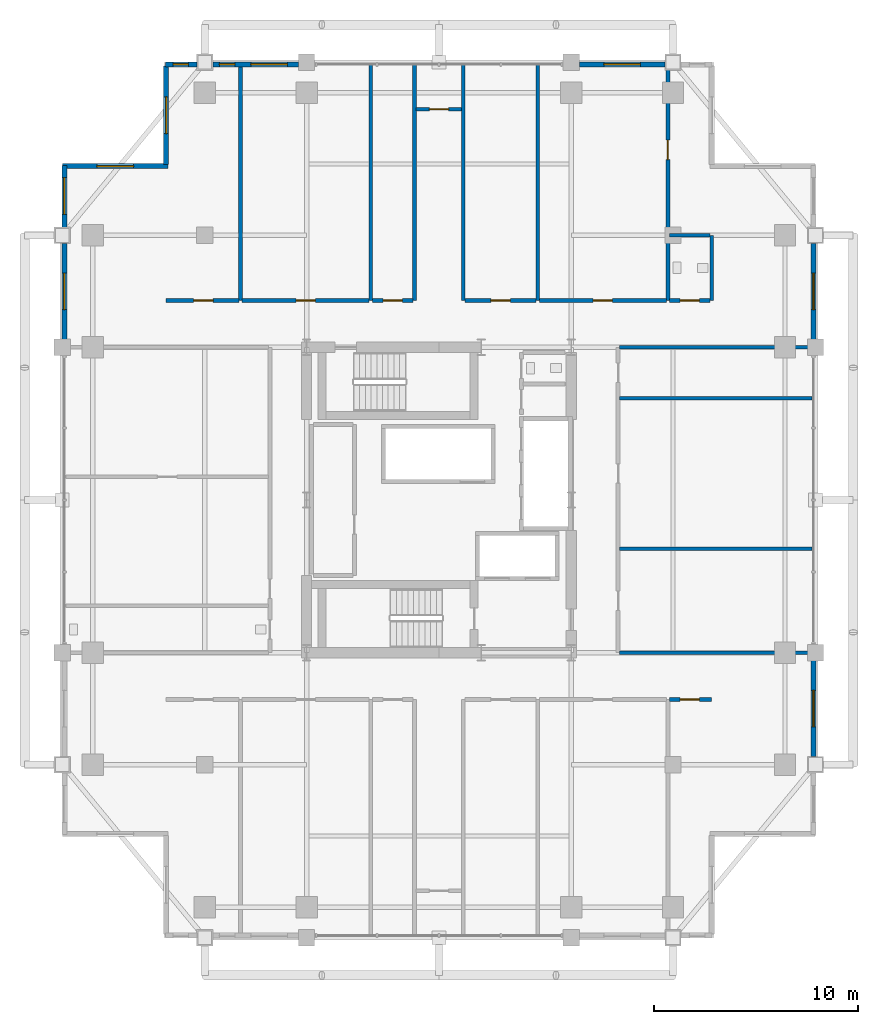
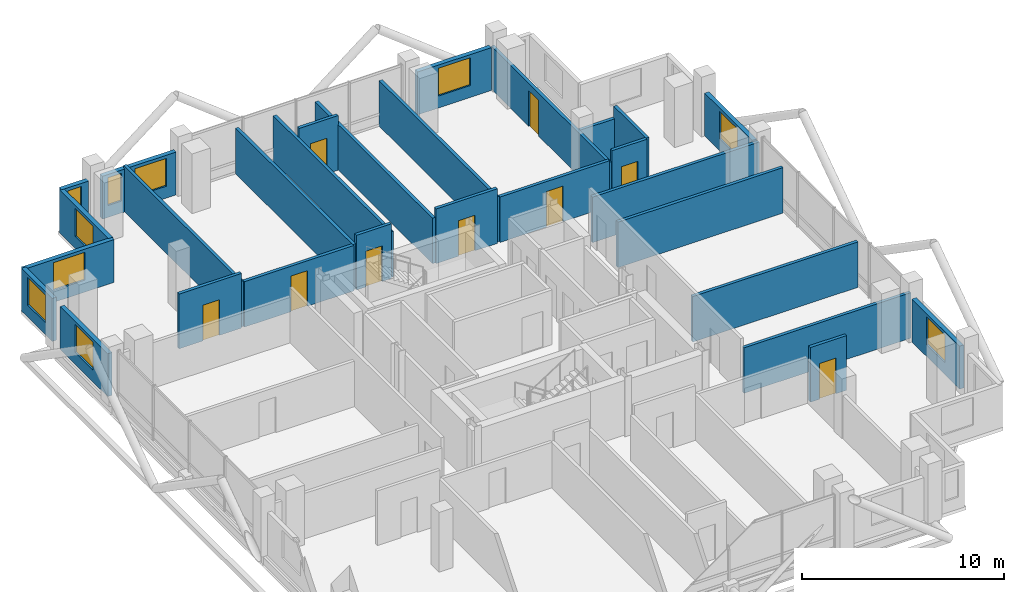
# One storey, part 22 of 25: 29 walls, 10 windows, 9 doors, 19 openings.
"""IFC4 building model written with IfcOpenShell, lengths in metres."""

from ifc_helpers import new_model, si_unit, direction, frame, frame_2d, origin, place, context, subcontext, project, spatial, rectangle, extrude, material, layer, layer_set, type_object, element, fill, save


model = new_model("IFC4")

# Units and contexts
model_context = context("Model", 3, precision=1e-05, world=origin(), true_north=direction((0.0, 1.0)))
body_context = subcontext(model_context, "Body", "Model", "MODEL_VIEW")
ifc_project = project(units=[si_unit("LENGTHUNIT", "METRE"), si_unit("AREAUNIT", "SQUARE_METRE"), si_unit("VOLUMEUNIT", "CUBIC_METRE"), si_unit("PLANEANGLEUNIT", "RADIAN"), si_unit("MASSUNIT", "GRAM", prefix="KILO")], contexts=[model_context])

# Site, building, storey
site_placement = place(None, origin())
site = spatial("IfcSite", under=ifc_project, at=site_placement, CompositionType="ELEMENT")
building_placement = place(site_placement, origin())
building = spatial("IfcBuilding", under=site, at=building_placement, Name="Barlavira Tower and Art Museum", CompositionType="ELEMENT")
storey_placement = place(building_placement, frame((0.0, 0.0, 208.800048828125)))
storey = spatial("IfcBuildingStorey", under=building, at=storey_placement, Name="L54", CompositionType="ELEMENT", Elevation=208.800048828125)

# Walls
ifc_material_1 = material(Name="Gypsum acoustic stud partition", Category="gypsum")
ifc_layer_1 = layer(ifc_material_1, 0.179931640625, Name="Gypsum acoustic stud partition")
ifc_layer_set_1 = layer_set([ifc_layer_1], Name="Gypsum acoustic stud partition")
wall_type_1 = type_object("IfcWallType", Name="Inter-Tenancy Party Partition Wall 180", PredefinedType="PARTITIONING", material=ifc_layer_set_1)
for number, where, z_axis, x_axis, name in (
    (1, (-9.75, 9.800048828125, 0.0), (0.0, 0.0, 1.0), (0.0, 1.0, 0.0), "L54 Partition Wall 2"),
    (2, (-3.35009765625, 9.800048828125, 0.0), (0.0, 0.0, 1.0), (0.0, 1.0, 0.0), "L54 Partition Wall 7"),
    (3, (-1.199951171875, 9.800048828125, 0.0), (0.0, 0.0, 1.0), (0.0, 1.0, 0.0), "L54 Partition Wall 9"),
    (4, (1.199951171875, 9.800048828125, 0.0), (0.0, 0.0, 1.0), (0.0, 1.0, 0.0), "L54 Partition Wall 11"),
    (5, (4.85009765625, 9.800048828125, 0.0), (0.0, 0.0, 1.0), (0.0, 1.0, 0.0), "L54 Partition Wall 14"),
):
    element("IfcWall", number, at=place(storey_placement, frame(where, z_axis=z_axis, x_axis=x_axis)), inside=storey, type_object=wall_type_1, Name=name, PredefinedType="PARTITIONING", context=body_context, shape_type="SweptSolid", body=[
        extrude(rectangle(XDim=11.599853515625, YDim=0.179931640625, at=frame_2d((5.7998046875, 0.0))), origin(), (0.0, 0.0, 1.0), 2.745849609375),
    ])

# Wall, opening, door
wall_1_placement = place(storey_placement, frame((11.25, 9.800048828125, 0.0), z_axis=(0.0, 0.0, 1.0), x_axis=(0.0, 1.0, 0.0)))
wall_1 = element("IfcWall", 6, at=wall_1_placement, inside=storey, type_object=wall_type_1, Name="L54 Partition Wall 17", PredefinedType="PARTITIONING", context=body_context, shape_type="SweptSolid", body=[
    extrude(rectangle(XDim=11.599853515625, YDim=0.179931640625, at=frame_2d((5.7998046875, 0.0))), origin(), (0.0, 0.0, 1.0), 2.58984375),
])
opening_1_placement = place(wall_1_placement, frame((6.925048828125, 0.0, 0.0)))
opening_1 = element("IfcOpeningElement", 7, at=opening_1_placement, cuts=wall_1, Name="Opening FD-60", PredefinedType="OPENING", context=body_context, shape_type="SweptSolid", body=[
    extrude(rectangle(XDim=0.949951171875, YDim=2.14990234375, at=frame_2d((0.47509765625, 1.074951171875))), frame((0.0, 0.10009765625, 0.0), z_axis=(0.0, -1.0, 0.0), x_axis=(1.0, 0.0, 0.0)), (0.0, 0.0, 1.0), 0.199951171875),
])
ifc_material_2 = material(Name="Brushed stainless steel", Category="steel")
door_type = type_object("IfcDoorType", Name="Apartment Entrance and Riser Fire Door 950x2150 FD60S", OperationType="NOTDEFINED", PredefinedType="DOOR", material=ifc_material_2)
door_1_placement = place(opening_1_placement, origin())
door_1 = element("IfcDoor", 8, at=door_1_placement, inside=storey, type_object=door_type, Name="Thermal Relaxation Lounge Door", OperationType="SINGLE_SWING_RIGHT", OverallHeight=2.14990234375, OverallWidth=0.949951171875, PredefinedType="DOOR", context=body_context, shape_type="SweptSolid", body=[
    extrude(rectangle(XDim=0.949951171875, YDim=2.14990234375, at=frame_2d((0.47509765625, 1.074951171875))), frame((0.0, 0.02490234375, 0.0), z_axis=(0.0, -1.0, 0.0), x_axis=(1.0, 0.0, 0.0)), (0.0, 0.0, 1.0), 0.050048828125),
])
fill(opening_1, door_1)

# Wall
wall_2_placement = place(storey_placement, frame((13.39990234375, 9.800048828125, 0.0), z_axis=(0.0, 0.0, 1.0), x_axis=(0.0, 1.0, 0.0)))
element("IfcWall", 9, at=wall_2_placement, inside=storey, type_object=wall_type_1, Name="L54 Partition Wall 18", PredefinedType="PARTITIONING", context=body_context, shape_type="SweptSolid", body=[
    extrude(rectangle(XDim=3.199951171875, YDim=0.179931640625, at=frame_2d((1.60009765625, 0.0))), origin(), (0.0, 0.0, 1.0), 3.300048828125),
])

# Wall, opening, door
wall_3_placement = place(storey_placement, frame((11.330078125, -9.800048828125, 0.0), z_axis=(0.0, 0.0, 1.0), x_axis=(1.0, 0.0, 0.0)))
wall_3 = element("IfcWall", 10, at=wall_3_placement, inside=storey, type_object=wall_type_1, Name="L54 Partition Wall 25", PredefinedType="PARTITIONING", context=body_context, shape_type="SweptSolid", body=[
    extrude(rectangle(XDim=2.06982421875, YDim=0.179931640625, at=frame_2d((1.034912109375, 0.0))), origin(), (0.0, 0.0, 1.0), 3.300048828125),
])
opening_2_placement = place(wall_3_placement, frame((0.514892578125, 0.0, 0.0)))
opening_2 = element("IfcOpeningElement", 11, at=opening_2_placement, cuts=wall_3, Name="Opening FD-60", PredefinedType="OPENING", context=body_context, shape_type="SweptSolid", body=[
    extrude(rectangle(XDim=0.949951171875, YDim=2.14990234375, at=frame_2d((0.47509765625, 1.074951171875))), frame((0.0, 0.10009765625, 0.0), z_axis=(0.0, -1.0, 0.0), x_axis=(1.0, 0.0, 0.0)), (0.0, 0.0, 1.0), 0.199951171875),
])
door_2_placement = place(opening_2_placement, origin())
door_2 = element("IfcDoor", 12, at=door_2_placement, inside=storey, type_object=door_type, Name="Shared Catering Kitchen Door", OperationType="SINGLE_SWING_RIGHT", OverallHeight=2.14990234375, OverallWidth=0.949951171875, PredefinedType="DOOR", context=body_context, shape_type="SweptSolid", body=[
    extrude(rectangle(XDim=0.949951171875, YDim=2.14990234375, at=frame_2d((0.47509765625, 1.074951171875))), frame((0.0, 0.02490234375, 0.0), z_axis=(0.0, -1.0, 0.0), x_axis=(1.0, 0.0, 0.0)), (0.0, 0.0, 1.0), 0.050048828125),
])
fill(opening_2, door_2)

# Walls
wall_4_placement = place(storey_placement, frame((8.8798828125, -7.5, 0.0), z_axis=(0.0, 0.0, 1.0), x_axis=(1.0, 0.0, 0.0)))
element("IfcWall", 13, at=wall_4_placement, inside=storey, type_object=wall_type_1, Name="L54 Partition Wall 27", PredefinedType="PARTITIONING", context=body_context, shape_type="SweptSolid", body=[
    extrude(rectangle(XDim=9.52001953125, YDim=0.179931640625, at=frame_2d((4.760009765625, 0.0))), origin(), (0.0, 0.0, 1.0), 2.745849609375),
])
for number, where, z_axis, x_axis, name in (
    (14, (8.8798828125, -2.39990234375, 0.0), (0.0, 0.0, 1.0), (1.0, 0.0, 0.0), "L54 Partition Wall 30"),
    (15, (8.8798828125, 5.0, 0.0), (0.0, 0.0, 1.0), (1.0, 0.0, 0.0), "L54 Partition Wall 33"),
):
    element("IfcWall", number, at=place(storey_placement, frame(where, z_axis=z_axis, x_axis=x_axis)), inside=storey, type_object=wall_type_1, Name=name, PredefinedType="PARTITIONING", context=body_context, shape_type="SweptSolid", body=[
        extrude(rectangle(XDim=9.440185546875, YDim=0.179931640625, at=frame_2d((4.72021484375, 0.0))), origin(), (0.0, 0.0, 1.0), 2.745849609375),
    ])
wall_5_placement = place(storey_placement, frame((8.8798828125, 7.5, 0.0), z_axis=(0.0, 0.0, 1.0), x_axis=(1.0, 0.0, 0.0)))
element("IfcWall", 16, at=wall_5_placement, inside=storey, type_object=wall_type_1, Name="L54 Partition Wall 37", PredefinedType="PARTITIONING", context=body_context, shape_type="SweptSolid", body=[
    extrude(rectangle(XDim=9.52001953125, YDim=0.179931640625, at=frame_2d((4.760009765625, 0.0))), origin(), (0.0, 0.0, 1.0), 2.745849609375),
])

# Wall, opening, door
wall_6_placement = place(storey_placement, frame((-13.39990234375, 9.800048828125, 0.0), z_axis=(0.0, 0.0, 1.0), x_axis=(1.0, 0.0, 0.0)))
wall_6 = element("IfcWall", 17, at=wall_6_placement, inside=storey, type_object=wall_type_1, Name="L54 Partition Wall 38", PredefinedType="PARTITIONING", context=body_context, shape_type="SweptSolid", body=[
    extrude(rectangle(XDim=3.56982421875, YDim=0.179931640625, at=frame_2d((1.784912109375, 0.0))), origin(), (0.0, 0.0, 1.0), 3.300048828125),
])
opening_3_placement = place(wall_6_placement, frame((1.35498046875, 0.0, 0.0)))
opening_3 = element("IfcOpeningElement", 18, at=opening_3_placement, cuts=wall_6, Name="Opening FD-60", PredefinedType="OPENING", context=body_context, shape_type="SweptSolid", body=[
    extrude(rectangle(XDim=0.949951171875, YDim=2.14990234375, at=frame_2d((0.47509765625, 1.074951171875))), frame((0.0, 0.10009765625, 0.0), z_axis=(0.0, -1.0, 0.0), x_axis=(1.0, 0.0, 0.0)), (0.0, 0.0, 1.0), 0.199951171875),
])
door_3_placement = place(opening_3_placement, origin())
door_3 = element("IfcDoor", 19, at=door_3_placement, inside=storey, type_object=door_type, Name="Resident Sky Coworking Studio Door", OperationType="SINGLE_SWING_RIGHT", OverallHeight=2.14990234375, OverallWidth=0.949951171875, PredefinedType="DOOR", context=body_context, shape_type="SweptSolid", body=[
    extrude(rectangle(XDim=0.949951171875, YDim=2.14990234375, at=frame_2d((0.47509765625, 1.074951171875))), frame((0.0, 0.02490234375, 0.0), z_axis=(0.0, -1.0, 0.0), x_axis=(1.0, 0.0, 0.0)), (0.0, 0.0, 1.0), 0.050048828125),
])
fill(opening_3, door_3)

wall_7_placement = place(storey_placement, frame((-9.669921875, 9.800048828125, 0.0), z_axis=(0.0, 0.0, 1.0), x_axis=(1.0, 0.0, 0.0)))
wall_7 = element("IfcWall", 20, at=wall_7_placement, inside=storey, type_object=wall_type_1, Name="L54 Partition Wall 39", PredefinedType="PARTITIONING", context=body_context, shape_type="SweptSolid", body=[
    extrude(rectangle(XDim=6.239990234375, YDim=0.179931640625, at=frame_2d((3.1201171875, 0.0))), origin(), (0.0, 0.0, 1.0), 2.745849609375),
])
opening_4_placement = place(wall_7_placement, frame((2.655029296875, 0.0, 0.0)))
opening_4 = element("IfcOpeningElement", 21, at=opening_4_placement, cuts=wall_7, Name="Opening FD-60", PredefinedType="OPENING", context=body_context, shape_type="SweptSolid", body=[
    extrude(rectangle(XDim=0.949951171875, YDim=2.14990234375, at=frame_2d((0.47509765625, 1.074951171875))), frame((0.0, 0.10009765625, 0.0), z_axis=(0.0, -1.0, 0.0), x_axis=(1.0, 0.0, 0.0)), (0.0, 0.0, 1.0), 0.199951171875),
])
door_4_placement = place(opening_4_placement, origin())
door_4 = element("IfcDoor", 22, at=door_4_placement, inside=storey, type_object=door_type, Name="Atlantic Horizon Boardroom Door", OperationType="SINGLE_SWING_LEFT", OverallHeight=2.14990234375, OverallWidth=0.949951171875, PredefinedType="DOOR", context=body_context, shape_type="SweptSolid", body=[
    extrude(rectangle(XDim=0.949951171875, YDim=2.14990234375, at=frame_2d((0.47509765625, 1.074951171875))), frame((0.0, 0.02490234375, 0.0), z_axis=(0.0, -1.0, 0.0), x_axis=(1.0, 0.0, 0.0)), (0.0, 0.0, 1.0), 0.050048828125),
])
fill(opening_4, door_4)

wall_8_placement = place(storey_placement, frame((-3.27001953125, 9.800048828125, 0.0), z_axis=(0.0, 0.0, 1.0), x_axis=(1.0, 0.0, 0.0)))
wall_8 = element("IfcWall", 23, at=wall_8_placement, inside=storey, type_object=wall_type_1, Name="L54 Partition Wall 40", PredefinedType="PARTITIONING", context=body_context, shape_type="SweptSolid", body=[
    extrude(rectangle(XDim=1.989990234375, YDim=0.179931640625, at=frame_2d((0.9951171875, 0.0))), origin(), (0.0, 0.0, 1.0), 3.300048828125),
])
opening_5_placement = place(wall_8_placement, frame((0.52490234375, 0.0, 0.0)))
opening_5 = element("IfcOpeningElement", 24, at=opening_5_placement, cuts=wall_8, Name="Opening FD-60", PredefinedType="OPENING", context=body_context, shape_type="SweptSolid", body=[
    extrude(rectangle(XDim=0.949951171875, YDim=2.14990234375, at=frame_2d((0.47509765625, 1.074951171875))), frame((0.0, 0.10009765625, 0.0), z_axis=(0.0, -1.0, 0.0), x_axis=(1.0, 0.0, 0.0)), (0.0, 0.0, 1.0), 0.199951171875),
])
door_5_placement = place(opening_5_placement, origin())
door_5 = element("IfcDoor", 25, at=door_5_placement, inside=storey, type_object=door_type, Name="Shared Coworking Espresso Pantry Door", OperationType="SINGLE_SWING_RIGHT", OverallHeight=2.14990234375, OverallWidth=0.949951171875, PredefinedType="DOOR", context=body_context, shape_type="SweptSolid", body=[
    extrude(rectangle(XDim=0.949951171875, YDim=2.14990234375, at=frame_2d((0.47509765625, 1.074951171875))), frame((0.0, 0.02490234375, 0.0), z_axis=(0.0, -1.0, 0.0), x_axis=(1.0, 0.0, 0.0)), (0.0, 0.0, 1.0), 0.050048828125),
])
fill(opening_5, door_5)

wall_9_placement = place(storey_placement, frame((1.280029296875, 9.800048828125, 0.0), z_axis=(0.0, 0.0, 1.0), x_axis=(1.0, 0.0, 0.0)))
wall_9 = element("IfcWall", 26, at=wall_9_placement, inside=storey, type_object=wall_type_1, Name="L54 Partition Wall 41", PredefinedType="PARTITIONING", context=body_context, shape_type="SweptSolid", body=[
    extrude(rectangle(XDim=3.489990234375, YDim=0.179931640625, at=frame_2d((1.7451171875, 0.0))), origin(), (0.0, 0.0, 1.0), 3.300048828125),
])
opening_6_placement = place(wall_9_placement, frame((1.27490234375, 0.0, 0.0)))
opening_6 = element("IfcOpeningElement", 27, at=opening_6_placement, cuts=wall_9, Name="Opening FD-60", PredefinedType="OPENING", context=body_context, shape_type="SweptSolid", body=[
    extrude(rectangle(XDim=0.949951171875, YDim=2.14990234375, at=frame_2d((0.47509765625, 1.074951171875))), frame((0.0, 0.10009765625, 0.0), z_axis=(0.0, -1.0, 0.0), x_axis=(1.0, 0.0, 0.0)), (0.0, 0.0, 1.0), 0.199951171875),
])
door_6_placement = place(opening_6_placement, origin())
door_6 = element("IfcDoor", 28, at=door_6_placement, inside=storey, type_object=door_type, Name="Resident Ocean-View Fitness Studio Door", OperationType="SINGLE_SWING_LEFT", OverallHeight=2.14990234375, OverallWidth=0.949951171875, PredefinedType="DOOR", context=body_context, shape_type="SweptSolid", body=[
    extrude(rectangle(XDim=0.949951171875, YDim=2.14990234375, at=frame_2d((0.47509765625, 1.074951171875))), frame((0.0, 0.02490234375, 0.0), z_axis=(0.0, -1.0, 0.0), x_axis=(1.0, 0.0, 0.0)), (0.0, 0.0, 1.0), 0.050048828125),
])
fill(opening_6, door_6)

wall_10_placement = place(storey_placement, frame((4.929931640625, 9.800048828125, 0.0), z_axis=(0.0, 0.0, 1.0), x_axis=(1.0, 0.0, 0.0)))
wall_10 = element("IfcWall", 29, at=wall_10_placement, inside=storey, type_object=wall_type_1, Name="L54 Partition Wall 42", PredefinedType="PARTITIONING", context=body_context, shape_type="SweptSolid", body=[
    extrude(rectangle(XDim=6.239990234375, YDim=0.179931640625, at=frame_2d((3.1201171875, 0.0))), origin(), (0.0, 0.0, 1.0), 2.745849609375),
])
opening_7_placement = place(wall_10_placement, frame((2.64501953125, 0.0, 0.0)))
opening_7 = element("IfcOpeningElement", 30, at=opening_7_placement, cuts=wall_10, Name="Opening FD-60", PredefinedType="OPENING", context=body_context, shape_type="SweptSolid", body=[
    extrude(rectangle(XDim=0.949951171875, YDim=2.14990234375, at=frame_2d((0.47509765625, 1.074951171875))), frame((0.0, 0.10009765625, 0.0), z_axis=(0.0, -1.0, 0.0), x_axis=(1.0, 0.0, 0.0)), (0.0, 0.0, 1.0), 0.199951171875),
])
door_7_placement = place(opening_7_placement, origin())
door_7 = element("IfcDoor", 31, at=door_7_placement, inside=storey, type_object=door_type, Name="Coastal Hydrotherapy and Yoga Lounge Door", OperationType="SINGLE_SWING_RIGHT", OverallHeight=2.14990234375, OverallWidth=0.949951171875, PredefinedType="DOOR", context=body_context, shape_type="SweptSolid", body=[
    extrude(rectangle(XDim=0.949951171875, YDim=2.14990234375, at=frame_2d((0.47509765625, 1.074951171875))), frame((0.0, 0.02490234375, 0.0), z_axis=(0.0, -1.0, 0.0), x_axis=(1.0, 0.0, 0.0)), (0.0, 0.0, 1.0), 0.050048828125),
])
fill(opening_7, door_7)

wall_11_placement = place(storey_placement, frame((11.330078125, 9.800048828125, 0.0), z_axis=(0.0, 0.0, 1.0), x_axis=(1.0, 0.0, 0.0)))
wall_11 = element("IfcWall", 32, at=wall_11_placement, inside=storey, type_object=wall_type_1, Name="L54 Partition Wall 43", PredefinedType="PARTITIONING", context=body_context, shape_type="SweptSolid", body=[
    extrude(rectangle(XDim=1.989990234375, YDim=0.179931640625, at=frame_2d((0.9951171875, 0.0))), origin(), (0.0, 0.0, 1.0), 3.300048828125),
])
opening_8_placement = place(wall_11_placement, frame((0.514892578125, 0.0, 0.0)))
opening_8 = element("IfcOpeningElement", 33, at=opening_8_placement, cuts=wall_11, Name="Opening FD-60", PredefinedType="OPENING", context=body_context, shape_type="SweptSolid", body=[
    extrude(rectangle(XDim=0.949951171875, YDim=2.14990234375, at=frame_2d((0.47509765625, 1.074951171875))), frame((0.0, 0.10009765625, 0.0), z_axis=(0.0, -1.0, 0.0), x_axis=(1.0, 0.0, 0.0)), (0.0, 0.0, 1.0), 0.199951171875),
])
door_8_placement = place(opening_8_placement, origin())
door_8 = element("IfcDoor", 34, at=door_8_placement, inside=storey, type_object=door_type, Name="Wellness Changing and Accessible Shower WC Door", OperationType="SINGLE_SWING_LEFT", OverallHeight=2.14990234375, OverallWidth=0.949951171875, PredefinedType="DOOR", context=body_context, shape_type="SweptSolid", body=[
    extrude(rectangle(XDim=0.949951171875, YDim=2.14990234375, at=frame_2d((0.47509765625, 1.074951171875))), frame((0.0, 0.02490234375, 0.0), z_axis=(0.0, -1.0, 0.0), x_axis=(1.0, 0.0, 0.0)), (0.0, 0.0, 1.0), 0.050048828125),
])
fill(opening_8, door_8)

# Wall
wall_12_placement = place(storey_placement, frame((11.330078125, 13.0, 0.0), z_axis=(0.0, 0.0, 1.0), x_axis=(1.0, 0.0, 0.0)))
element("IfcWall", 35, at=wall_12_placement, inside=storey, type_object=wall_type_1, Name="L54 Partition Wall 44", PredefinedType="PARTITIONING", context=body_context, shape_type="SweptSolid", body=[
    extrude(rectangle(XDim=1.989990234375, YDim=0.179931640625, at=frame_2d((0.9951171875, 0.0))), origin(), (0.0, 0.0, 1.0), 2.58984375),
])

# Wall, opening, door
wall_13_placement = place(storey_placement, frame((-1.1201171875, 19.199951171875, 0.0), z_axis=(0.0, 0.0, 1.0), x_axis=(1.0, 0.0, 0.0)))
wall_13 = element("IfcWall", 36, at=wall_13_placement, inside=storey, type_object=wall_type_1, Name="L54 Partition Wall 45", PredefinedType="PARTITIONING", context=body_context, shape_type="SweptSolid", body=[
    extrude(rectangle(XDim=2.240234375, YDim=0.179931640625, at=frame_2d((1.1201171875, 0.0))), origin(), (0.0, 0.0, 1.0), 3.300048828125),
])
opening_9_placement = place(wall_13_placement, frame((0.64501953125, 0.0, 0.0)))
opening_9 = element("IfcOpeningElement", 37, at=opening_9_placement, cuts=wall_13, Name="Opening FD-60", PredefinedType="OPENING", context=body_context, shape_type="SweptSolid", body=[
    extrude(rectangle(XDim=0.949951171875, YDim=2.14990234375, at=frame_2d((0.47509765625, 1.074951171875))), frame((0.0, 0.10009765625, 0.0), z_axis=(0.0, -1.0, 0.0), x_axis=(1.0, 0.0, 0.0)), (0.0, 0.0, 1.0), 0.199951171875),
])
door_9_placement = place(opening_9_placement, origin())
door_9 = element("IfcDoor", 38, at=door_9_placement, inside=storey, type_object=door_type, Name="L54 North Ocean Alcove Door", OperationType="SINGLE_SWING_LEFT", OverallHeight=2.14990234375, OverallWidth=0.949951171875, PredefinedType="DOOR", context=body_context, shape_type="SweptSolid", body=[
    extrude(rectangle(XDim=0.949951171875, YDim=2.14990234375, at=frame_2d((0.47509765625, 1.074951171875))), frame((0.0, 0.02490234375, 0.0), z_axis=(0.0, -1.0, 0.0), x_axis=(1.0, 0.0, 0.0)), (0.0, 0.0, 1.0), 0.050048828125),
])
fill(opening_9, door_9)

# Wall, opening, window
ifc_material_3 = material(Name="Precast concrete C40", Category="concrete")
ifc_layer_2 = layer(ifc_material_3, 0.25, Name="Precast concrete C40")
ifc_layer_set_2 = layer_set([ifc_layer_2], Name="Precast concrete C40")
wall_type_2 = type_object("IfcWallType", Name="Notched Corner Spandrel Wall 250 Precast Concrete C40", PredefinedType="SOLIDWALL", material=ifc_layer_set_2)
wall_14_placement = place(storey_placement, frame((11.10498046875, 21.39990234375, 0.0), z_axis=(0.0, 0.0, 1.0), x_axis=(-1.0, 0.0, 0.0)))
wall_14 = element("IfcWall", 39, at=wall_14_placement, inside=storey, type_object=wall_type_2, Name="L54 Coastal Facade Pier Wall CW3-L54-N-2", PredefinedType="SOLIDWALL", context=body_context, shape_type="SweptSolid", body=[
    extrude(rectangle(XDim=4.2099609375, YDim=0.25, at=frame_2d((2.10498046875, 0.0))), origin(), (0.0, 0.0, 1.0), 2.58984375),
])
opening_10_placement = place(wall_14_placement, frame((1.205078125, 0.0, 0.719970703125)))
opening_10 = element("IfcOpeningElement", 40, at=opening_10_placement, cuts=wall_14, Name="Opening WN-01", PredefinedType="OPENING", context=body_context, shape_type="SweptSolid", body=[
    extrude(rectangle(XDim=1.800048828125, YDim=1.679931640625, at=frame_2d((0.89990234375, 0.83984375))), frame((0.0, 0.135009765625, 0.0), z_axis=(0.0, -1.0, 0.0), x_axis=(1.0, 0.0, 0.0)), (0.0, 0.0, 1.0), 0.27001953125),
])
ifc_material_4 = material(Name="Low-iron coastal laminated glass", Category="glass")
window_type_1 = type_object("IfcWindowType", Name="Recessed Notch Corner Punch Window 1800x1680", PartitioningType="SINGLE_PANEL", PredefinedType="WINDOW", material=ifc_material_4)
window_1_placement = place(opening_10_placement, origin())
window_1 = element("IfcWindow", 41, at=window_1_placement, inside=storey, type_object=window_type_1, Name="L54 Punched Facade Window EWP-CW3-L54-N-2-1", OverallHeight=1.679931640625, OverallWidth=1.800048828125, PartitioningType="SINGLE_PANEL", PredefinedType="WINDOW", context=body_context, shape_type="SweptSolid", body=[
    extrude(rectangle(XDim=1.800048828125, YDim=1.679931640625, at=frame_2d((0.89990234375, 0.83984375))), frame((0.0, 0.030029296875, 0.0), z_axis=(0.0, -1.0, 0.0), x_axis=(1.0, 0.0, 0.0)), (0.0, 0.0, 1.0), 0.06005859375),
])
fill(opening_10, window_1)

# Wall, openings, windows
wall_15_placement = place(storey_placement, frame((-6.89501953125, 21.39990234375, 0.0), z_axis=(0.0, 0.0, 1.0), x_axis=(-1.0, 0.0, 0.0)))
wall_15 = element("IfcWall", 42, at=wall_15_placement, inside=storey, type_object=wall_type_2, Name="L54 Coastal Facade Pier Wall CW3-L54-N-4", PredefinedType="SOLIDWALL", context=body_context, shape_type="SweptSolid", body=[
    extrude(rectangle(XDim=4.2099609375, YDim=0.25, at=frame_2d((2.10498046875, 0.0))), origin(), (0.0, 0.0, 1.0), 2.58984375),
])
opening_11_placement = place(wall_15_placement, frame((0.544921875, 0.0, 0.719970703125)))
opening_11 = element("IfcOpeningElement", 43, at=opening_11_placement, cuts=wall_15, Name="Opening WN-01", PredefinedType="OPENING", context=body_context, shape_type="SweptSolid", body=[
    extrude(rectangle(XDim=1.800048828125, YDim=1.679931640625, at=frame_2d((0.89990234375, 0.83984375))), frame((0.0, 0.135009765625, 0.0), z_axis=(0.0, -1.0, 0.0), x_axis=(1.0, 0.0, 0.0)), (0.0, 0.0, 1.0), 0.27001953125),
])
opening_12_placement = place(wall_15_placement, frame((3.125, 0.0, 0.719970703125)))
opening_12 = element("IfcOpeningElement", 44, at=opening_12_placement, cuts=wall_15, Name="Opening WN-06", PredefinedType="OPENING", context=body_context, shape_type="SweptSolid", body=[
    extrude(rectangle(XDim=0.760009765625, YDim=1.679931640625, at=frame_2d((0.3798828125, 0.83984375))), frame((0.0, 0.135009765625, 0.0), z_axis=(0.0, -1.0, 0.0), x_axis=(1.0, 0.0, 0.0)), (0.0, 0.0, 1.0), 0.27001953125),
])
window_type_2 = type_object("IfcWindowType", Name="Recessed Narrow Pier Window 760x1680", PartitioningType="SINGLE_PANEL", PredefinedType="WINDOW", material=ifc_material_4)
window_2_placement = place(opening_12_placement, origin())
window_2 = element("IfcWindow", 45, at=window_2_placement, inside=storey, type_object=window_type_2, Name="L54 Punched Facade Window EWP-CW3-L54-N-4-2", OverallHeight=1.679931640625, OverallWidth=0.760009765625, PartitioningType="SINGLE_PANEL", PredefinedType="WINDOW", context=body_context, shape_type="SweptSolid", body=[
    extrude(rectangle(XDim=0.760009765625, YDim=1.679931640625, at=frame_2d((0.3798828125, 0.83984375))), frame((0.0, 0.030029296875, 0.0), z_axis=(0.0, -1.0, 0.0), x_axis=(1.0, 0.0, 0.0)), (0.0, 0.0, 1.0), 0.06005859375),
])
fill(opening_12, window_2)
window_3_placement = place(opening_11_placement, origin())
window_3 = element("IfcWindow", 46, at=window_3_placement, inside=storey, type_object=window_type_1, Name="L54 Punched Facade Window EWP-CW3-L54-N-4-1", OverallHeight=1.679931640625, OverallWidth=1.800048828125, PartitioningType="SINGLE_PANEL", PredefinedType="WINDOW", context=body_context, shape_type="SweptSolid", body=[
    extrude(rectangle(XDim=1.800048828125, YDim=1.679931640625, at=frame_2d((0.89990234375, 0.83984375))), frame((0.0, 0.030029296875, 0.0), z_axis=(0.0, -1.0, 0.0), x_axis=(1.0, 0.0, 0.0)), (0.0, 0.0, 1.0), 0.06005859375),
])
fill(opening_11, window_3)

# Wall, opening, window
wall_16_placement = place(storey_placement, frame((-11.89501953125, 21.39990234375, 0.0), z_axis=(0.0, 0.0, 1.0), x_axis=(-1.0, 0.0, 0.0)))
wall_16 = element("IfcWall", 47, at=wall_16_placement, inside=storey, type_object=wall_type_2, Name="L54 Coastal Facade Pier Wall CW3-L54-N-5", PredefinedType="SOLIDWALL", context=body_context, shape_type="SweptSolid", body=[
    extrude(rectangle(XDim=1.530029296875, YDim=0.25, at=frame_2d((0.76513671875, 0.0))), origin(), (0.0, 0.0, 1.0), 2.58984375),
])
opening_13_placement = place(wall_16_placement, frame((0.407958984375, 0.0, 0.719970703125)))
opening_13 = element("IfcOpeningElement", 48, at=opening_13_placement, cuts=wall_16, Name="Opening WN-06", PredefinedType="OPENING", context=body_context, shape_type="SweptSolid", body=[
    extrude(rectangle(XDim=0.760009765625, YDim=1.679931640625, at=frame_2d((0.3798828125, 0.83984375))), frame((0.0, 0.135009765625, 0.0), z_axis=(0.0, -1.0, 0.0), x_axis=(1.0, 0.0, 0.0)), (0.0, 0.0, 1.0), 0.27001953125),
])
window_4_placement = place(opening_13_placement, origin())
window_4 = element("IfcWindow", 49, at=window_4_placement, inside=storey, type_object=window_type_2, Name="L54 Punched Facade Window EWP-CW3-L54-N-5-1", OverallHeight=1.679931640625, OverallWidth=0.760009765625, PartitioningType="SINGLE_PANEL", PredefinedType="WINDOW", context=body_context, shape_type="SweptSolid", body=[
    extrude(rectangle(XDim=0.760009765625, YDim=1.679931640625, at=frame_2d((0.3798828125, 0.83984375))), frame((0.0, 0.030029296875, 0.0), z_axis=(0.0, -1.0, 0.0), x_axis=(1.0, 0.0, 0.0)), (0.0, 0.0, 1.0), 0.06005859375),
])
fill(opening_13, window_4)

wall_17_placement = place(storey_placement, frame((-18.39990234375, 16.425048828125, 0.0), z_axis=(0.0, 0.0, 1.0), x_axis=(0.0, -1.0, 0.0)))
wall_17 = element("IfcWall", 50, at=wall_17_placement, inside=storey, type_object=wall_type_2, Name="L54 Coastal Facade Pier Wall CW3-L54-W-1", PredefinedType="SOLIDWALL", context=body_context, shape_type="SweptSolid", body=[
    extrude(rectangle(XDim=3.030029296875, YDim=0.25, at=frame_2d((1.51513671875, 0.0))), origin(), (0.0, 0.0, 1.0), 2.58984375),
])
opening_14_placement = place(wall_17_placement, frame((0.593017578125, 0.0, 0.719970703125)))
opening_14 = element("IfcOpeningElement", 51, at=opening_14_placement, cuts=wall_17, Name="Opening WN-01", PredefinedType="OPENING", context=body_context, shape_type="SweptSolid", body=[
    extrude(rectangle(XDim=1.800048828125, YDim=1.679931640625, at=frame_2d((0.89990234375, 0.83984375))), frame((0.0, 0.135009765625, 0.0), z_axis=(0.0, -1.0, 0.0), x_axis=(1.0, 0.0, 0.0)), (0.0, 0.0, 1.0), 0.27001953125),
])
window_5_placement = place(opening_14_placement, origin())
window_5 = element("IfcWindow", 52, at=window_5_placement, inside=storey, type_object=window_type_1, Name="L54 Punched Facade Window EWP-CW3-L54-W-1-1", OverallHeight=1.679931640625, OverallWidth=1.800048828125, PartitioningType="SINGLE_PANEL", PredefinedType="WINDOW", context=body_context, shape_type="SweptSolid", body=[
    extrude(rectangle(XDim=1.800048828125, YDim=1.679931640625, at=frame_2d((0.89990234375, 0.83984375))), frame((0.0, 0.030029296875, 0.0), z_axis=(0.0, -1.0, 0.0), x_axis=(1.0, 0.0, 0.0)), (0.0, 0.0, 1.0), 0.06005859375),
])
fill(opening_14, window_5)

wall_18_placement = place(storey_placement, frame((-18.39990234375, 12.60498046875, 0.0), z_axis=(0.0, 0.0, 1.0), x_axis=(0.0, -1.0, 0.0)))
wall_18 = element("IfcWall", 53, at=wall_18_placement, inside=storey, type_object=wall_type_2, Name="L54 Coastal Facade Pier Wall CW3-L54-W-2", PredefinedType="SOLIDWALL", context=body_context, shape_type="SweptSolid", body=[
    extrude(rectangle(XDim=4.7099609375, YDim=0.25, at=frame_2d((2.35498046875, 0.0))), origin(), (0.0, 0.0, 1.0), 2.58984375),
])
opening_15_placement = place(wall_18_placement, frame((1.455078125, 0.0, 0.719970703125)))
opening_15 = element("IfcOpeningElement", 54, at=opening_15_placement, cuts=wall_18, Name="Opening WN-01", PredefinedType="OPENING", context=body_context, shape_type="SweptSolid", body=[
    extrude(rectangle(XDim=1.800048828125, YDim=1.679931640625, at=frame_2d((0.89990234375, 0.83984375))), frame((0.0, 0.135009765625, 0.0), z_axis=(0.0, -1.0, 0.0), x_axis=(1.0, 0.0, 0.0)), (0.0, 0.0, 1.0), 0.27001953125),
])
window_6_placement = place(opening_15_placement, origin())
window_6 = element("IfcWindow", 55, at=window_6_placement, inside=storey, type_object=window_type_1, Name="L54 Punched Facade Window EWP-CW3-L54-W-2-1", OverallHeight=1.679931640625, OverallWidth=1.800048828125, PartitioningType="SINGLE_PANEL", PredefinedType="WINDOW", context=body_context, shape_type="SweptSolid", body=[
    extrude(rectangle(XDim=1.800048828125, YDim=1.679931640625, at=frame_2d((0.89990234375, 0.83984375))), frame((0.0, 0.030029296875, 0.0), z_axis=(0.0, -1.0, 0.0), x_axis=(1.0, 0.0, 0.0)), (0.0, 0.0, 1.0), 0.06005859375),
])
fill(opening_15, window_6)

wall_19_placement = place(storey_placement, frame((18.39990234375, -12.60498046875, 0.0), z_axis=(0.0, 0.0, 1.0), x_axis=(0.0, 1.0, 0.0)))
wall_19 = element("IfcWall", 56, at=wall_19_placement, inside=storey, type_object=wall_type_2, Name="L54 Coastal Facade Pier Wall CW3-L54-E-2", PredefinedType="SOLIDWALL", context=body_context, shape_type="SweptSolid", body=[
    extrude(rectangle(XDim=4.7099609375, YDim=0.25, at=frame_2d((2.35498046875, 0.0))), origin(), (0.0, 0.0, 1.0), 2.58984375),
])
opening_16_placement = place(wall_19_placement, frame((1.455078125, 0.0, 0.719970703125)))
opening_16 = element("IfcOpeningElement", 57, at=opening_16_placement, cuts=wall_19, Name="Opening WN-01", PredefinedType="OPENING", context=body_context, shape_type="SweptSolid", body=[
    extrude(rectangle(XDim=1.800048828125, YDim=1.679931640625, at=frame_2d((0.89990234375, 0.83984375))), frame((0.0, 0.135009765625, 0.0), z_axis=(0.0, -1.0, 0.0), x_axis=(1.0, 0.0, 0.0)), (0.0, 0.0, 1.0), 0.27001953125),
])
window_7_placement = place(opening_16_placement, origin())
window_7 = element("IfcWindow", 58, at=window_7_placement, inside=storey, type_object=window_type_1, Name="L54 Punched Facade Window EWP-CW3-L54-E-2-1", OverallHeight=1.679931640625, OverallWidth=1.800048828125, PartitioningType="SINGLE_PANEL", PredefinedType="WINDOW", context=body_context, shape_type="SweptSolid", body=[
    extrude(rectangle(XDim=1.800048828125, YDim=1.679931640625, at=frame_2d((0.89990234375, 0.83984375))), frame((0.0, 0.030029296875, 0.0), z_axis=(0.0, -1.0, 0.0), x_axis=(1.0, 0.0, 0.0)), (0.0, 0.0, 1.0), 0.06005859375),
])
fill(opening_16, window_7)

wall_20_placement = place(storey_placement, frame((18.39990234375, 7.89501953125, 0.0), z_axis=(0.0, 0.0, 1.0), x_axis=(0.0, 1.0, 0.0)))
wall_20 = element("IfcWall", 59, at=wall_20_placement, inside=storey, type_object=wall_type_2, Name="L54 Coastal Facade Pier Wall CW3-L54-E-4", PredefinedType="SOLIDWALL", context=body_context, shape_type="SweptSolid", body=[
    extrude(rectangle(XDim=4.7099609375, YDim=0.25, at=frame_2d((2.35498046875, 0.0))), origin(), (0.0, 0.0, 1.0), 2.58984375),
])
opening_17_placement = place(wall_20_placement, frame((1.455078125, 0.0, 0.719970703125)))
opening_17 = element("IfcOpeningElement", 60, at=opening_17_placement, cuts=wall_20, Name="Opening WN-01", PredefinedType="OPENING", context=body_context, shape_type="SweptSolid", body=[
    extrude(rectangle(XDim=1.800048828125, YDim=1.679931640625, at=frame_2d((0.89990234375, 0.83984375))), frame((0.0, 0.135009765625, 0.0), z_axis=(0.0, -1.0, 0.0), x_axis=(1.0, 0.0, 0.0)), (0.0, 0.0, 1.0), 0.27001953125),
])
window_8_placement = place(opening_17_placement, origin())
window_8 = element("IfcWindow", 61, at=window_8_placement, inside=storey, type_object=window_type_1, Name="L54 Punched Facade Window EWP-CW3-L54-E-4-1", OverallHeight=1.679931640625, OverallWidth=1.800048828125, PartitioningType="SINGLE_PANEL", PredefinedType="WINDOW", context=body_context, shape_type="SweptSolid", body=[
    extrude(rectangle(XDim=1.800048828125, YDim=1.679931640625, at=frame_2d((0.89990234375, 0.83984375))), frame((0.0, 0.030029296875, 0.0), z_axis=(0.0, -1.0, 0.0), x_axis=(1.0, 0.0, 0.0)), (0.0, 0.0, 1.0), 0.06005859375),
])
fill(opening_17, window_8)

wall_21_placement = place(storey_placement, frame((-13.39990234375, 21.320068359375, 0.0), z_axis=(0.0, 0.0, 1.0), x_axis=(0.0, -1.0, 0.0)))
wall_21 = element("IfcWall", 62, at=wall_21_placement, inside=storey, type_object=wall_type_2, Name="L54 Notch Corner Wall NW1", PredefinedType="SOLIDWALL", context=body_context, shape_type="SweptSolid", body=[
    extrude(rectangle(XDim=4.840087890625, YDim=0.25, at=frame_2d((2.419921875, 0.0))), origin(), (0.0, 0.0, 1.0), 2.58984375),
])
opening_18_placement = place(wall_21_placement, frame((1.52001953125, 0.0, 0.719970703125)))
opening_18 = element("IfcOpeningElement", 63, at=opening_18_placement, cuts=wall_21, Name="Opening WN-01", PredefinedType="OPENING", context=body_context, shape_type="SweptSolid", body=[
    extrude(rectangle(XDim=1.800048828125, YDim=1.679931640625, at=frame_2d((0.89990234375, 0.83984375))), frame((0.0, 0.135009765625, 0.0), z_axis=(0.0, -1.0, 0.0), x_axis=(1.0, 0.0, 0.0)), (0.0, 0.0, 1.0), 0.27001953125),
])
window_9_placement = place(opening_18_placement, origin())
window_9 = element("IfcWindow", 64, at=window_9_placement, inside=storey, type_object=window_type_1, Name="L54 Punched Facade Window EW-NTC-L54-NW1-1", OverallHeight=1.679931640625, OverallWidth=1.800048828125, PartitioningType="SINGLE_PANEL", PredefinedType="WINDOW", context=body_context, shape_type="SweptSolid", body=[
    extrude(rectangle(XDim=1.800048828125, YDim=1.679931640625, at=frame_2d((0.89990234375, 0.83984375))), frame((0.0, 0.030029296875, 0.0), z_axis=(0.0, -1.0, 0.0), x_axis=(1.0, 0.0, 0.0)), (0.0, 0.0, 1.0), 0.06005859375),
])
fill(opening_18, window_9)

wall_22_placement = place(storey_placement, frame((-13.320068359375, 16.39990234375, 0.0), z_axis=(0.0, 0.0, 1.0), x_axis=(-1.0, 0.0, 0.0)))
wall_22 = element("IfcWall", 65, at=wall_22_placement, inside=storey, type_object=wall_type_2, Name="L54 Notch Corner Wall NW2", PredefinedType="SOLIDWALL", context=body_context, shape_type="SweptSolid", body=[
    extrude(rectangle(XDim=5.159912109375, YDim=0.25, at=frame_2d((2.580078125, 0.0))), origin(), (0.0, 0.0, 1.0), 2.58984375),
])
opening_19_placement = place(wall_22_placement, frame((1.679931640625, 0.0, 0.719970703125)))
opening_19 = element("IfcOpeningElement", 66, at=opening_19_placement, cuts=wall_22, Name="Opening WN-01", PredefinedType="OPENING", context=body_context, shape_type="SweptSolid", body=[
    extrude(rectangle(XDim=1.800048828125, YDim=1.679931640625, at=frame_2d((0.89990234375, 0.83984375))), frame((0.0, 0.135009765625, 0.0), z_axis=(0.0, -1.0, 0.0), x_axis=(1.0, 0.0, 0.0)), (0.0, 0.0, 1.0), 0.27001953125),
])
window_10_placement = place(opening_19_placement, origin())
window_10 = element("IfcWindow", 67, at=window_10_placement, inside=storey, type_object=window_type_1, Name="L54 Punched Facade Window EW-NTC-L54-NW2-1", OverallHeight=1.679931640625, OverallWidth=1.800048828125, PartitioningType="SINGLE_PANEL", PredefinedType="WINDOW", context=body_context, shape_type="SweptSolid", body=[
    extrude(rectangle(XDim=1.800048828125, YDim=1.679931640625, at=frame_2d((0.89990234375, 0.83984375))), frame((0.0, 0.030029296875, 0.0), z_axis=(0.0, -1.0, 0.0), x_axis=(1.0, 0.0, 0.0)), (0.0, 0.0, 1.0), 0.06005859375),
])
fill(opening_19, window_10)

save(model, "model.ifc")
